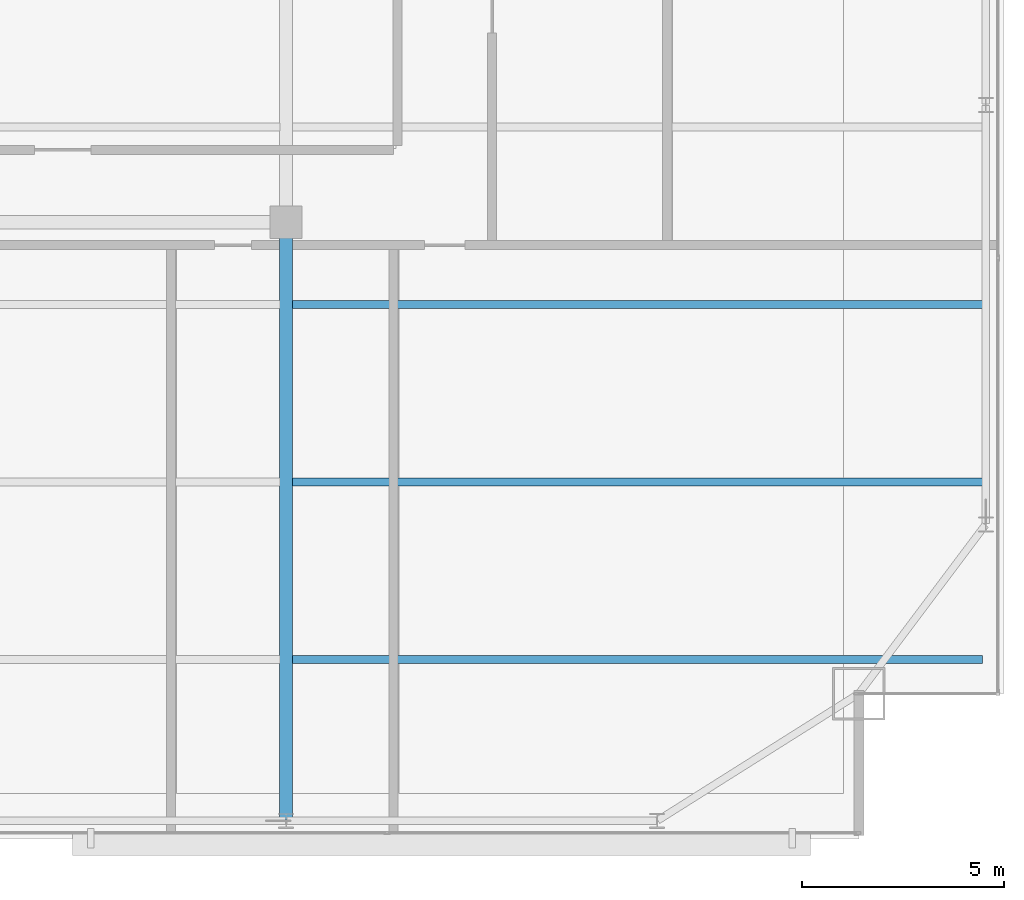
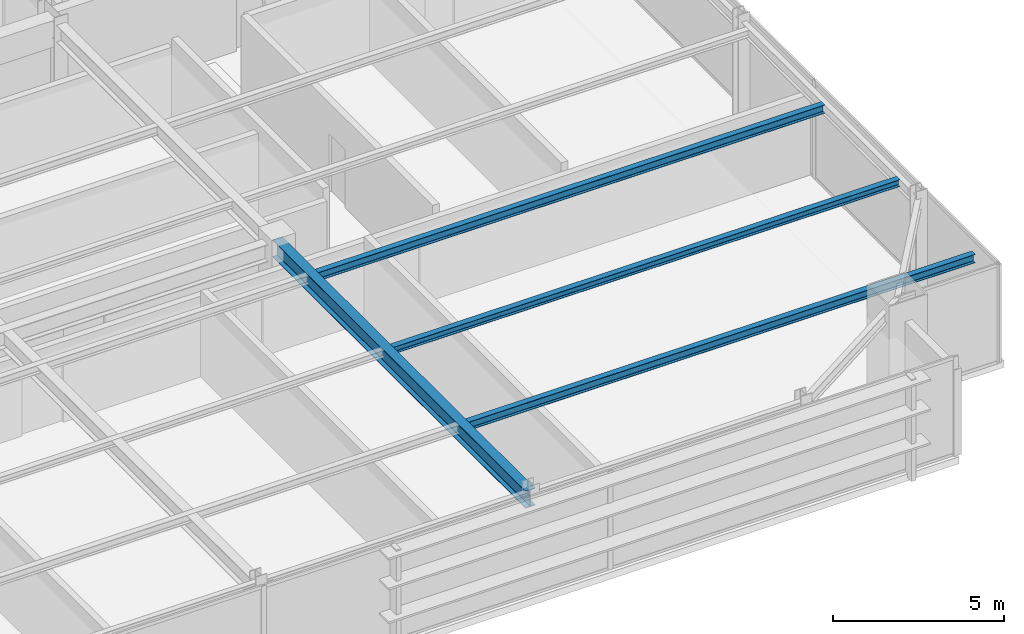
# One storey, part 14 of 29: 4 beams.
"""IFC4 building model written with IfcOpenShell, lengths in metres."""

from ifc_helpers import new_model, si_unit, direction, frame, origin, origin_2d, place, context, subcontext, project, spatial, i_section, extrude, source, transform, mapped, material, material_profile, profile_set, type_object, type_shapes, element, save


model = new_model("IFC4")

# Units and contexts
model_context = context("Model", 3, precision=1e-05, world=origin(), true_north=direction((0.0, 1.0)))
body_context = subcontext(model_context, "Body", "Model", "MODEL_VIEW")
ifc_project = project(units=[si_unit("LENGTHUNIT", "METRE"), si_unit("AREAUNIT", "SQUARE_METRE"), si_unit("VOLUMEUNIT", "CUBIC_METRE"), si_unit("PLANEANGLEUNIT", "RADIAN"), si_unit("MASSUNIT", "GRAM", prefix="KILO")], contexts=[model_context])

# Site, building, storey
site_placement = place(None, origin())
site = spatial("IfcSite", under=ifc_project, at=site_placement, CompositionType="ELEMENT")
building_placement = place(site_placement, origin())
building = spatial("IfcBuilding", under=site, at=building_placement, Name="Varnel Quay Broadcast Tower", CompositionType="ELEMENT")
storey_placement = place(building_placement, frame((0.0, 0.0, 187.60009765625)))
storey = spatial("IfcBuildingStorey", under=building, at=storey_placement, Name="L46", CompositionType="ELEMENT", Elevation=187.60009765625)

# Beams
ifc_material = material(Name="Structural Steel CSA G40.21 350W", Category="steel")
ifc_material_profile_1 = material_profile(ifc_material, i_section(OverallWidth=0.324951171875, OverallDepth=0.615966796875, WebThickness=0.013916015625, FlangeThickness=0.021484375, FilletRadius=0.01611328125, at=origin_2d()), Name="W610X174")
ifc_profile_set_1 = profile_set([ifc_material_profile_1], Name="Structural Steel CSA G40.21 350W")
beam_type_1 = type_object("IfcBeamType", Name="Girder_W610X174", PredefinedType="BEAM", material=ifc_profile_set_1)
shared_shape_1 = source(origin(), body_context, "Body", "SweptSolid", [
    extrude(i_section(OverallWidth=0.324951171875, OverallDepth=0.615966796875, WebThickness=0.013916015625, FlangeThickness=0.021484375, FilletRadius=0.01611328125, at=origin_2d()), origin(), (0.0, 0.0, 1.0), 14.800048828125),
])
type_shapes(beam_type_1, [shared_shape_1])
beam_1_placement = place(storey_placement, frame((43.199951171875, 7.669921875, 3.2119140625), z_axis=(0.0, 1.0, 0.0), x_axis=(-1.0, 0.0, 0.0)))
element("IfcBeam", 1, at=beam_1_placement, inside=storey, type_object=beam_type_1, Name="L46 Primary Girder TC-S4-IC-02", PredefinedType="BEAM", context=body_context, shape_type="MappedRepresentation", body=[
    mapped(shared_shape_1, transform((0.0, 0.0, 0.0), x_axis=(1.0, 0.0, 0.0), y_axis=(0.0, 1.0, 0.0), z_axis=(0.0, 0.0, 1.0), scale=1.0)),
])
ifc_material_profile_2 = material_profile(ifc_material, i_section(OverallWidth=0.202880859375, OverallDepth=0.302978515625, WebThickness=0.007568359375, FlangeThickness=0.01318359375, FilletRadius=0.011962890625, at=origin_2d()), Name="W310X60")
ifc_profile_set_2 = profile_set([ifc_material_profile_2], Name="Structural Steel CSA G40.21 350W")
beam_type_2 = type_object("IfcBeamType", Name="Beam_W310X60", PredefinedType="JOIST", material=ifc_profile_set_2)
shared_shape_2 = source(origin(), body_context, "Body", "SweptSolid", [
    extrude(i_section(OverallWidth=0.202880859375, OverallDepth=0.302978515625, WebThickness=0.007568359375, FlangeThickness=0.01318359375, FilletRadius=0.011962890625, at=origin_2d()), origin(), (0.0, 0.0, 1.0), 17.107177734375),
])
type_shapes(beam_type_2, [shared_shape_2])
for number, where, z_axis, x_axis, name in (
    (2, (43.357421875, 11.64990234375, 3.368408203125), (1.0, 0.0, 0.0), (0.0, 1.0, 0.0), "L46 East Floor Joist 1"),
    (3, (43.357421875, 20.449951171875, 3.368408203125), (1.0, 0.0, 0.0), (0.0, 1.0, 0.0), "L46 East Floor Joist 3"),
):
    element("IfcBeam", number, at=place(storey_placement, frame(where, z_axis=z_axis, x_axis=x_axis)), inside=storey, type_object=beam_type_2, Name=name, PredefinedType="JOIST", context=body_context, shape_type="MappedRepresentation", body=[
        mapped(shared_shape_2, transform((0.0, 0.0, 0.0), x_axis=(1.0, 0.0, 0.0), y_axis=(0.0, 1.0, 0.0), z_axis=(0.0, 0.0, 1.0), scale=1.0)),
    ])
ifc_material_profile_3 = material_profile(ifc_material, i_section(OverallWidth=0.201904296875, OverallDepth=0.2470703125, WebThickness=0.00732421875, FlangeThickness=0.010986328125, FilletRadius=0.010986328125, at=origin_2d()), Name="W250X49")
ifc_profile_set_3 = profile_set([ifc_material_profile_3], Name="Structural Steel CSA G40.21 350W")
beam_type_3 = type_object("IfcBeamType", Name="Beam_W250X49", PredefinedType="JOIST", material=ifc_profile_set_3)
shared_shape_3 = source(origin(), body_context, "Body", "SweptSolid", [
    extrude(i_section(OverallWidth=0.201904296875, OverallDepth=0.2470703125, WebThickness=0.00732421875, FlangeThickness=0.010986328125, FilletRadius=0.010986328125, at=origin_2d()), origin(), (0.0, 0.0, 1.0), 17.107177734375),
])
type_shapes(beam_type_3, [shared_shape_3])
beam_2_placement = place(storey_placement, frame((43.357421875, 16.050048828125, 3.396484375), z_axis=(1.0, 0.0, 0.0), x_axis=(0.0, 1.0, 0.0)))
element("IfcBeam", 4, at=beam_2_placement, inside=storey, type_object=beam_type_3, Name="L46 East Floor Joist 2", PredefinedType="JOIST", context=body_context, shape_type="MappedRepresentation", body=[
    mapped(shared_shape_3, transform((0.0, 0.0, 0.0), x_axis=(1.0, 0.0, 0.0), y_axis=(0.0, 1.0, 0.0), z_axis=(0.0, 0.0, 1.0), scale=1.0)),
])

save(model, "model.ifc")
